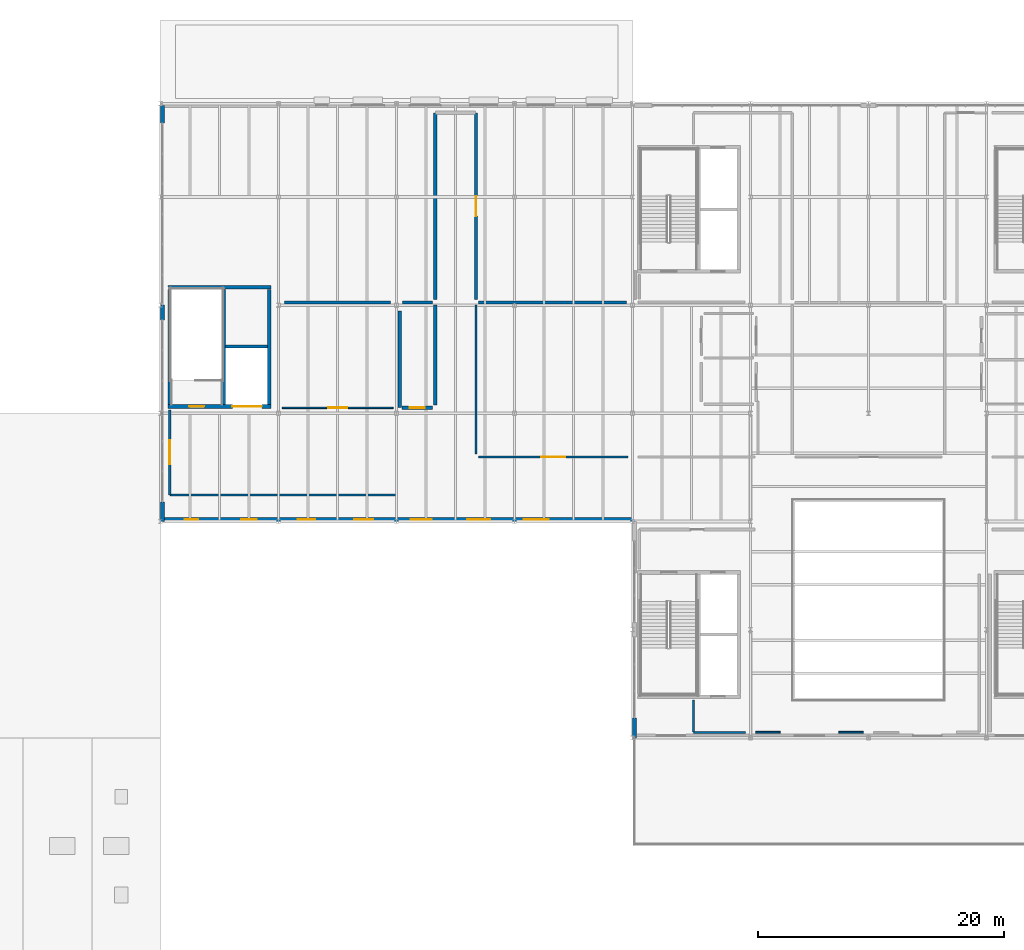
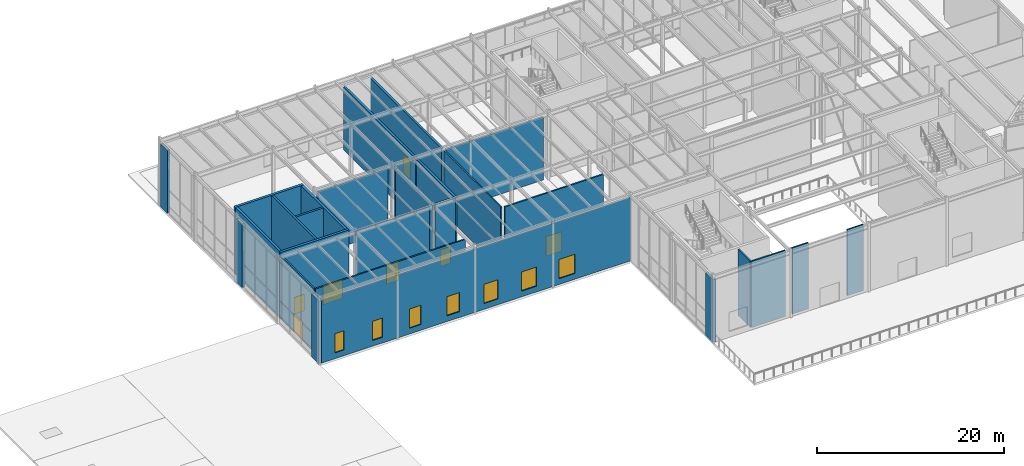
# One storey, part 35 of 48: 28 walls, 7 doors, 7 windows, 14 openings.
"""IFC4 building model written with IfcOpenShell, lengths in metres."""

import ifcopenshell
import ifcopenshell.guid

model = None  # the IFC model being written
_history = None  # IfcOwnerHistory: only IFC2X3 demands one
_inside = {}  # id of a spatial element -> (the spatial element, [elements in it])
_under = {}  # id of a project, library or spatial element -> (it, [spatial elements below it])
_declared = {}  # id of a project -> (the project, [libraries it declares])
_typed = {}  # id of a type object -> (the type object, [elements of that type])
_made_of = {}  # id of a material, layer set ... -> (it, [elements and type objects made of it])


def new_model(schema):
    """Start an empty IFC model of exactly this schema.

    Asked for "IFC4X3", IfcOpenShell would pick the latest addendum, in which some entities
    have other attributes; the version numbers below select the first issue.
    IFC2X3 requires an IfcOwnerHistory on every rooted entity: one is made here for all.
    """
    global model, _history
    if schema == "IFC4X3":
        model = ifcopenshell.file(schema_version=(4, 3, 0, 0))
    else:
        model = ifcopenshell.file(schema=schema)
    _inside.clear()
    _under.clear()
    _declared.clear()
    _typed.clear()
    _made_of.clear()
    _history = None
    if model.schema == "IFC2X3":
        org = make("IfcOrganization", Name="unknown")
        user = make(
            "IfcPersonAndOrganization",
            ThePerson=make("IfcPerson", FamilyName="unknown"),
            TheOrganization=org,
        )
        app = make(
            "IfcApplication",
            ApplicationDeveloper=org,
            Version="unknown",
            ApplicationFullName="unknown",
            ApplicationIdentifier="unknown",
        )
        _history = make(
            "IfcOwnerHistory",
            OwningUser=user,
            OwningApplication=app,
            ChangeAction="ADDED",
            CreationDate=0,
        )
    return model


def make(cls, **values):
    """One entity of the class cls with the attributes given. An attribute that is None is left unset."""
    return model.create_entity(
        cls, **{name: value for name, value in values.items() if value is not None}
    )


def rooted(cls, **values):
    """An entity with a GlobalId (a new one), such as an element, a storey or a relation."""
    return make(cls, GlobalId=ifcopenshell.guid.new(), OwnerHistory=_history, **values)


def si_unit(unit_type, name, prefix=None):
    """IfcSIUnit, for example si_unit("LENGTHUNIT", "METRE", prefix="MILLI")."""
    return make("IfcSIUnit", UnitType=unit_type, Prefix=prefix, Name=name)


def assignment(units):
    """IfcUnitAssignment: the units of a project."""
    return None if units is None else make("IfcUnitAssignment", Units=units)


def point(xyz):
    """IfcCartesianPoint."""
    return None if xyz is None else make("IfcCartesianPoint", Coordinates=xyz)


def direction(xyz):
    """IfcDirection."""
    return None if xyz is None else make("IfcDirection", DirectionRatios=xyz)


def frame(location, z_axis=None, x_axis=None):
    """IfcAxis2Placement3D, a coordinate frame: its origin and axes. An axis left out is left unset."""
    return make(
        "IfcAxis2Placement3D",
        Location=point(location),
        Axis=direction(z_axis),
        RefDirection=direction(x_axis),
    )


def frame_2d(location, x_axis=None):
    """IfcAxis2Placement2D, a coordinate frame in the plane: its origin and x axis."""
    return make(
        "IfcAxis2Placement2D", Location=point(location), RefDirection=direction(x_axis)
    )


def origin():
    """The frame at (0, 0, 0) with its axes left unset."""
    return frame((0.0, 0.0, 0.0))


def place(relative_to, where):
    """IfcLocalPlacement: puts the frame where relative to a parent placement (None: the world)."""
    return make(
        "IfcLocalPlacement", PlacementRelTo=relative_to, RelativePlacement=where
    )


def context(
    kind, dimensions, precision=None, world=None, true_north=None, identifier=None
):
    """IfcGeometricRepresentationContext, for example the 3D "Model" context."""
    return make(
        "IfcGeometricRepresentationContext",
        ContextIdentifier=identifier,
        ContextType=kind,
        CoordinateSpaceDimension=dimensions,
        Precision=precision,
        WorldCoordinateSystem=world,
        TrueNorth=true_north,
    )


def subcontext(parent, identifier, kind, view, scale=None):
    """IfcGeometricRepresentationSubContext, for example "Body" below "Model"."""
    return make(
        "IfcGeometricRepresentationSubContext",
        ContextIdentifier=identifier,
        ContextType=kind,
        ParentContext=parent,
        TargetScale=scale,
        TargetView=view,
    )


def project(units=None, contexts=None):
    """IfcProject with its units and contexts."""
    return rooted(
        "IfcProject",
        Name="project",
        RepresentationContexts=contexts,
        UnitsInContext=assignment(units),
    )


def spatial(cls, under=None, at=None, **own):
    """A site, building, storey or space (cls), placed at a placement, below another one or the project."""
    s = rooted(cls, ObjectPlacement=at, **own)
    if under is not None:
        _under.setdefault(under.id(), (under, []))[1].append(s)
    return s


def profile(cls, at=None, kind="AREA", **sizes):
    """A parametric profile (cls). Its sizes go by their IFC names, for example OverallWidth=200.0."""
    return make(cls, ProfileType=kind, Position=at, **sizes)


def rectangle(**sizes):
    """IfcRectangleProfileDef."""
    return profile("IfcRectangleProfileDef", **sizes)


def extrude(swept, where, along, depth):
    """IfcExtrudedAreaSolid: the profile swept, set in the frame where, extruded along a direction by depth."""
    return make(
        "IfcExtrudedAreaSolid",
        SweptArea=swept,
        Position=where,
        ExtrudedDirection=direction(along),
        Depth=depth,
    )


def shape(context_of_items, identifier, shape_type, items):
    """IfcShapeRepresentation: the items that make up one representation, for example the "Body"."""
    return make(
        "IfcShapeRepresentation",
        ContextOfItems=context_of_items,
        RepresentationIdentifier=identifier,
        RepresentationType=shape_type,
        Items=items,
    )


def material(Name=None, Category=None):
    """IfcMaterial."""
    return make("IfcMaterial", Name=Name, Category=Category)


def layer(
    of_material, thickness, ventilated=None, Name=None, Category=None, Priority=None
):
    """IfcMaterialLayer: one layer of a wall or slab, of a material (None: an air gap)."""
    return make(
        "IfcMaterialLayer",
        Material=of_material,
        LayerThickness=thickness,
        IsVentilated=ventilated,
        Name=Name,
        Category=Category,
        Priority=Priority,
    )


def layer_set(layers, Name=None):
    """IfcMaterialLayerSet."""
    return make("IfcMaterialLayerSet", MaterialLayers=layers, LayerSetName=Name)


def made_of(thing, what):
    """Note that an element or type object is made of a material, layer set ...; save() writes the relation."""
    if what is not None:
        _made_of.setdefault(what.id(), (what, []))[1].append(thing)
    return thing


def type_object(cls, material=None, **own):
    """A type object (cls), such as IfcWallType, which elements share."""
    return made_of(rooted(cls, **own), material)


def element(
    cls,
    number,
    at=None,
    inside=None,
    cuts=None,
    type_object=None,
    material=None,
    context=None,
    identifier="Body",
    shape_type=None,
    held_by="IfcProductDefinitionShape",
    body=None,
    shapes=None,
    **own,
):
    """One element of the class cls, such as IfcWall. Its Tag is "e" and its number.

    at: its placement. inside: the storey or other place that contains it. cuts: it is an
    opening in that element (IfcRelVoidsElement). A single representation is given by context,
    identifier, shape_type and body (its items); several are given by shapes. held_by: the class
    of the entity that holds the representations. save() writes the other relations.
    """
    e = rooted(cls, Tag="e%d" % number, ObjectPlacement=at, **own)
    if body is not None:
        shapes = [shape(context, identifier, shape_type, body)]
    if shapes is not None:
        e.Representation = make(held_by, Representations=shapes)
    if inside is not None:
        _inside.setdefault(inside.id(), (inside, []))[1].append(e)
    if cuts is not None:
        rooted(
            "IfcRelVoidsElement", RelatingBuildingElement=cuts, RelatedOpeningElement=e
        )
    if type_object is not None:
        _typed.setdefault(type_object.id(), (type_object, []))[1].append(e)
    return made_of(e, material)


def fill(opening, filler):
    """IfcRelFillsElement: the door or window that sits in an opening."""
    return rooted(
        "IfcRelFillsElement",
        RelatingOpeningElement=opening,
        RelatedBuildingElement=filler,
    )


def aggregate(whole, parts):
    """IfcRelAggregates: a whole, such as a stair, and the parts it consists of."""
    return rooted("IfcRelAggregates", RelatingObject=whole, RelatedObjects=parts)


def save(model, path):
    """Write the relations noted so far, then the file.

    IfcRelAggregates (storeys below a building ...), IfcRelContainedInSpatialStructure (elements
    in a storey), IfcRelDefinesByType, IfcRelAssociatesMaterial and IfcRelDeclares: one each for
    every whole, place, type object, material and project.
    """
    for whole, parts in _under.values():
        aggregate(whole, parts)
    for where, things in _inside.values():
        rooted(
            "IfcRelContainedInSpatialStructure",
            RelatedElements=things,
            RelatingStructure=where,
        )
    for kind, things in _typed.values():
        rooted("IfcRelDefinesByType", RelatedObjects=things, RelatingType=kind)
    for what, things in _made_of.values():
        rooted("IfcRelAssociatesMaterial", RelatedObjects=things, RelatingMaterial=what)
    for by, libraries in _declared.values():
        rooted("IfcRelDeclares", RelatingContext=by, RelatedDefinitions=libraries)
    model.write(path)


model = new_model("IFC4")

# Units and contexts
model_context = context("Model", 3, precision=1e-05, world=origin(), true_north=direction((0.0, 1.0)))
body_context = subcontext(model_context, "Body", "Model", "MODEL_VIEW")
ifc_project = project(units=[si_unit("LENGTHUNIT", "METRE"), si_unit("AREAUNIT", "SQUARE_METRE"), si_unit("VOLUMEUNIT", "CUBIC_METRE"), si_unit("PLANEANGLEUNIT", "RADIAN"), si_unit("MASSUNIT", "GRAM", prefix="KILO")], contexts=[model_context])

# Site, building, storey
site_placement = place(None, origin())
site = spatial("IfcSite", under=ifc_project, at=site_placement, CompositionType="ELEMENT")
building_placement = place(site_placement, origin())
building = spatial("IfcBuilding", under=site, at=building_placement, Name="Sarnbrook Museum", CompositionType="ELEMENT")
storey_placement = place(building_placement, frame((0.0, 0.0, 19.10009765625)))
storey = spatial("IfcBuildingStorey", under=building, at=storey_placement, Name="L04", CompositionType="ELEMENT", Elevation=19.10009765625)

# Wall, openings, doors
ifc_material_1 = material(Name="Concrete N50 (AS 3600, f'c = 50 MPa)", Category="concrete")
ifc_layer_1 = layer(ifc_material_1, 0.300048828125)
ifc_layer_set_1 = layer_set([ifc_layer_1], Name="Concrete N50 (AS 3600, f'c = 50 MPa)")
wall_type_1 = type_object("IfcWallType", Name="CoreWall_CWRC", PredefinedType="SHEAR", material=ifc_layer_set_1)
wall_1_placement = place(storey_placement, frame((43.0, 83.75, 0.0), z_axis=(0.0, 0.0, 1.0), x_axis=(1.0, 0.0, 0.0)))
wall_1 = element("IfcWall", 1, at=wall_1_placement, inside=storey, type_object=wall_type_1, Name="Core C6 Shear Wall S L04", PredefinedType="SHEAR", context=body_context, shape_type="SweptSolid", body=[
    extrude(rectangle(XDim=8.39990234375, YDim=0.300048828125, at=frame_2d((4.199951171875, 0.0))), origin(), (0.0, 0.0, 1.0), 8.744873046875),
])
opening_1_placement = place(wall_1_placement, frame((1.715087890625, 0.0, 0.0)))
opening_1 = element("IfcOpeningElement", 2, at=opening_1_placement, cuts=wall_1, Name="Opening D-ST-ST6-L04", PredefinedType="OPENING", context=body_context, shape_type="SweptSolid", body=[
    extrude(rectangle(XDim=1.25, YDim=2.199951171875, at=frame_2d((0.625, 1.10009765625))), frame((0.0, 0.16015625, 0.0), z_axis=(0.0, -1.0, 0.0), x_axis=(1.0, 0.0, 0.0)), (0.0, 0.0, 1.0), 0.320068359375),
])
opening_2_placement = place(wall_1_placement, frame((5.25, 0.0, 0.0)))
opening_2 = element("IfcOpeningElement", 3, at=opening_2_placement, cuts=wall_1, Name="Opening LD-GL2-L04", PredefinedType="OPENING", context=body_context, shape_type="SweptSolid", body=[
    extrude(rectangle(XDim=2.39990234375, YDim=2.550048828125, at=frame_2d((1.199951171875, 1.27490234375))), frame((0.0, 0.16015625, 0.0), z_axis=(0.0, -1.0, 0.0), x_axis=(1.0, 0.0, 0.0)), (0.0, 0.0, 1.0), 0.320068359375),
])
ifc_material_2 = material(Name="Tasmanian Oak Acoustic Timber", Category="wood")
door_type_1 = type_object("IfcDoorType", Name="FireDoor_FD120", OperationType="NOTDEFINED", PredefinedType="DOOR", material=ifc_material_2)
door_1_placement = place(opening_1_placement, origin())
door_1 = element("IfcDoor", 4, at=door_1_placement, inside=storey, type_object=door_type_1, Name="Exit Stair ST6 Fire Door L04", OperationType="SINGLE_SWING_LEFT", OverallHeight=2.199951171875, OverallWidth=1.25, PredefinedType="DOOR", context=body_context, shape_type="SweptSolid", body=[
    extrude(rectangle(XDim=1.25, YDim=2.199951171875, at=frame_2d((0.625, 1.10009765625))), frame((0.0, 0.02490234375, 0.0), z_axis=(0.0, -1.0, 0.0), x_axis=(1.0, 0.0, 0.0)), (0.0, 0.0, 1.0), 0.050048828125),
])
fill(opening_1, door_1)
ifc_material_3 = material(Name="Brushed Stainless Steel Grade 316", Category="steel")
door_type_2 = type_object("IfcDoorType", Name="LiftDoor_Goods240", OperationType="DOUBLE_DOOR_SLIDING", PredefinedType="DOOR", material=ifc_material_3)
door_2_placement = place(opening_2_placement, origin())
door_2 = element("IfcDoor", 5, at=door_2_placement, inside=storey, type_object=door_type_2, Name="Lift Landing Sliding Door LD-GL2-L04", OperationType="DOUBLE_DOOR_SLIDING", OverallHeight=2.550048828125, OverallWidth=2.39990234375, PredefinedType="DOOR", context=body_context, shape_type="SweptSolid", body=[
    extrude(rectangle(XDim=2.39990234375, YDim=2.550048828125, at=frame_2d((1.199951171875, 1.27490234375))), frame((0.0, 0.02490234375, 0.0), z_axis=(0.0, -1.0, 0.0), x_axis=(1.0, 0.0, 0.0)), (0.0, 0.0, 1.0), 0.050048828125),
])
fill(opening_2, door_2)

# Walls
wall_2_placement = place(storey_placement, frame((51.39990234375, 93.449951171875, 0.0), z_axis=(0.0, 0.0, 1.0), x_axis=(-1.0, 0.0, 0.0)))
element("IfcWall", 6, at=wall_2_placement, inside=storey, type_object=wall_type_1, Name="Core C6 Shear Wall N L04", PredefinedType="SHEAR", context=body_context, shape_type="SweptSolid", body=[
    extrude(rectangle(XDim=8.39990234375, YDim=0.300048828125, at=frame_2d((4.199951171875, 0.0))), origin(), (0.0, 0.0, 1.0), 8.744873046875),
])
for number, where, z_axis, x_axis, name in (
    (7, (51.25, 83.909912109375, 0.0), (0.0, 0.0, 1.0), (0.0, 1.0, 0.0), "Core C6 Shear Wall E L04"),
    (8, (43.14990234375, 93.2900390625, 0.0), (0.0, 0.0, 1.0), (0.0, -1.0, 0.0), "Core C6 Shear Wall W L04"),
):
    element("IfcWall", number, at=place(storey_placement, frame(where, z_axis=z_axis, x_axis=x_axis)), inside=storey, type_object=wall_type_1, Name=name, PredefinedType="SHEAR", context=body_context, shape_type="SweptSolid", body=[
        extrude(rectangle(XDim=9.380126953125, YDim=0.300048828125, at=frame_2d((4.68994140625, 0.0))), origin(), (0.0, 0.0, 1.0), 8.744873046875),
    ])

# Wall, opening, door
ifc_material_4 = material(Name="Concrete N40 (AS 3600, f'c = 40 MPa)", Category="concrete")
ifc_layer_2 = layer(ifc_material_4, 0.260009765625)
ifc_layer_set_2 = layer_set([ifc_layer_2], Name="Concrete N40 (AS 3600, f'c = 40 MPa)")
wall_type_2 = type_object("IfcWallType", Name="FireWall_FW240", PredefinedType="SOLIDWALL", material=ifc_layer_set_2)
wall_3_placement = place(storey_placement, frame((68.050048828125, 92.449951171875, 0.0), z_axis=(0.0, 0.0, 1.0), x_axis=(0.0, 1.0, 0.0)))
wall_3 = element("IfcWall", 9, at=wall_3_placement, inside=storey, type_object=wall_type_2, Name="Interior Partition Wall L04-0787", PredefinedType="SOLIDWALL", context=body_context, shape_type="SweptSolid", body=[
    extrude(rectangle(XDim=15.18994140625, YDim=0.260009765625, at=frame_2d((7.594970703125, 0.0))), origin(), (0.0, 0.0, 1.0), 8.18701171875),
])
opening_3_placement = place(wall_3_placement, frame((6.794921875, 0.0, 0.0)))
opening_3 = element("IfcOpeningElement", 10, at=opening_3_placement, cuts=wall_3, Name="Opening D-L04-223", PredefinedType="OPENING", context=body_context, shape_type="SweptSolid", body=[
    extrude(rectangle(XDim=1.60009765625, YDim=2.39990234375, at=frame_2d((0.800048828125, 1.199951171875))), frame((0.0, 0.14013671875, 0.0), z_axis=(0.0, -1.0, 0.0), x_axis=(1.0, 0.0, 0.0)), (0.0, 0.0, 1.0), 0.280029296875),
])
ifc_material_5 = material(Name="Patinated Architectural Bronze")
door_type_3 = type_object("IfcDoorType", Name="FireDoor_FD240", OperationType="NOTDEFINED", PredefinedType="DOOR", material=ifc_material_5)
door_3_placement = place(opening_3_placement, frame((1.60009765625, 0.0, 0.0), z_axis=(0.0, 0.0, 1.0), x_axis=(-1.0, 0.0, 0.0)))
door_3 = element("IfcDoor", 11, at=door_3_placement, inside=storey, type_object=door_type_3, Name="Collection Archive Vault L04-13 Door D-L04-223", OperationType="DOUBLE_DOOR_SINGLE_SWING", OverallHeight=2.39990234375, OverallWidth=1.60009765625, PredefinedType="DOOR", context=body_context, shape_type="SweptSolid", body=[
    extrude(rectangle(XDim=1.60009765625, YDim=2.39990234375, at=frame_2d((0.800048828125, 1.199951171875))), frame((0.0, 0.02490234375, 0.0), z_axis=(0.0, -1.0, 0.0), x_axis=(1.0, 0.0, 0.0)), (0.0, 0.0, 1.0), 0.050048828125),
])
fill(opening_3, door_3)

# Wall
wall_4_placement = place(storey_placement, frame((64.75, 107.639892578125, 0.0), z_axis=(0.0, 0.0, 1.0), x_axis=(0.0, -1.0, 0.0)))
element("IfcWall", 12, at=wall_4_placement, inside=storey, type_object=wall_type_2, Name="Interior Partition Wall L04-0789", PredefinedType="SOLIDWALL", context=body_context, shape_type="SweptSolid", body=[
    extrude(rectangle(XDim=15.18994140625, YDim=0.260009765625, at=frame_2d((7.594970703125, 0.0))), origin(), (0.0, 0.0, 1.0), 8.18701171875),
])

# Wall, opening, door
wall_5_placement = place(storey_placement, frame((64.52001953125, 83.64990234375, 0.0), z_axis=(0.0, 0.0, 1.0), x_axis=(-1.0, 0.0, 0.0)))
wall_5 = element("IfcWall", 13, at=wall_5_placement, inside=storey, type_object=wall_type_2, Name="Interior Partition Wall L04-0791", PredefinedType="SOLIDWALL", context=body_context, shape_type="SweptSolid", body=[
    extrude(rectangle(XDim=2.469970703125, YDim=0.260009765625, at=frame_2d((1.23486328125, 0.0))), origin(), (0.0, 0.0, 1.0), 8.364013671875),
])
opening_4_placement = place(wall_5_placement, frame((0.610107421875, 0.0, 0.0)))
opening_4 = element("IfcOpeningElement", 14, at=opening_4_placement, cuts=wall_5, Name="Opening D-L04-225", PredefinedType="OPENING", context=body_context, shape_type="SweptSolid", body=[
    extrude(rectangle(XDim=1.25, YDim=2.199951171875, at=frame_2d((0.625, 1.10009765625))), frame((0.0, 0.14013671875, 0.0), z_axis=(0.0, -1.0, 0.0), x_axis=(1.0, 0.0, 0.0)), (0.0, 0.0, 1.0), 0.280029296875),
])
door_4_placement = place(opening_4_placement, origin())
door_4 = element("IfcDoor", 15, at=door_4_placement, inside=storey, type_object=door_type_1, Name="Collection Archive Vault L04-15 Door D-L04-225", OperationType="SINGLE_SWING_RIGHT", OverallHeight=2.199951171875, OverallWidth=1.25, PredefinedType="DOOR", context=body_context, shape_type="SweptSolid", body=[
    extrude(rectangle(XDim=1.25, YDim=2.199951171875, at=frame_2d((0.625, 1.10009765625))), frame((0.0, 0.02490234375, 0.0), z_axis=(0.0, -1.0, 0.0), x_axis=(1.0, 0.0, 0.0)), (0.0, 0.0, 1.0), 0.050048828125),
])
fill(opening_4, door_4)

# Walls
wall_6_placement = place(storey_placement, frame((64.75, 92.030029296875, 0.0), z_axis=(0.0, 0.0, 1.0), x_axis=(0.0, -1.0, 0.0)))
element("IfcWall", 16, at=wall_6_placement, inside=storey, type_object=wall_type_2, Name="Interior Partition Wall L04-0792", PredefinedType="SOLIDWALL", context=body_context, shape_type="SweptSolid", body=[
    extrude(rectangle(XDim=8.150146484375, YDim=0.260009765625, at=frame_2d((4.0751953125, 0.0))), origin(), (0.0, 0.0, 1.0), 8.18701171875),
])
wall_7_placement = place(storey_placement, frame((61.1201171875, 92.219970703125, 0.0), z_axis=(0.0, 0.0, 1.0), x_axis=(-1.0, 0.0, 0.0)))
element("IfcWall", 17, at=wall_7_placement, inside=storey, type_object=wall_type_2, Name="Interior Partition Wall L04-0801", PredefinedType="SOLIDWALL", context=body_context, shape_type="SweptSolid", body=[
    extrude(rectangle(XDim=8.64013671875, YDim=0.260009765625, at=frame_2d((4.320068359375, 0.0))), origin(), (0.0, 0.0, 1.0), 8.18701171875),
])
wall_8_placement = place(storey_placement, frame((64.52001953125, 92.219970703125, 0.0), z_axis=(0.0, 0.0, 1.0), x_axis=(-1.0, 0.0, 0.0)))
element("IfcWall", 18, at=wall_8_placement, inside=storey, type_object=wall_type_2, Name="Interior Partition Wall L04-0802", PredefinedType="SOLIDWALL", context=body_context, shape_type="SweptSolid", body=[
    extrude(rectangle(XDim=2.43994140625, YDim=0.260009765625, at=frame_2d((1.219970703125, 0.0))), origin(), (0.0, 0.0, 1.0), 8.18701171875),
])
wall_9_placement = place(storey_placement, frame((80.320068359375, 92.219970703125, 0.0), z_axis=(0.0, 0.0, 1.0), x_axis=(-1.0, 0.0, 0.0)))
element("IfcWall", 19, at=wall_9_placement, inside=storey, type_object=wall_type_2, Name="Interior Partition Wall L04-0803", PredefinedType="SOLIDWALL", context=body_context, shape_type="SweptSolid", body=[
    extrude(rectangle(XDim=12.0400390625, YDim=0.260009765625, at=frame_2d((6.02001953125, 0.0))), origin(), (0.0, 0.0, 1.0), 8.18701171875),
])
wall_10_placement = place(storey_placement, frame((61.860107421875, 91.52001953125, 0.0), z_axis=(0.0, 0.0, 1.0), x_axis=(0.0, -1.0, 0.0)))
element("IfcWall", 20, at=wall_10_placement, inside=storey, type_object=wall_type_2, Name="Interior Partition Wall L04-0804", PredefinedType="SOLIDWALL", context=body_context, shape_type="SweptSolid", body=[
    extrude(rectangle(XDim=7.840087890625, YDim=0.260009765625, at=frame_2d((3.919921875, 0.0))), origin(), (0.0, 0.0, 1.0), 8.262939453125),
])

# Wall, opening, door
ifc_material_6 = material(Name="Fire-Rated Acoustic Gypsum Plasterboard")
ifc_layer_3 = layer(ifc_material_6, 0.1201171875)
ifc_layer_set_3 = layer_set([ifc_layer_3], Name="Fire-Rated Acoustic Gypsum Plasterboard")
wall_type_3 = type_object("IfcWallType", Name="PartWall_P120", PredefinedType="PARTITIONING", material=ifc_layer_set_3)
wall_11_placement = place(storey_placement, frame((61.315185546875, 83.64990234375, 0.0), z_axis=(0.0, 0.0, 1.0), x_axis=(-1.0, 0.0, 0.0)))
wall_11 = element("IfcWall", 21, at=wall_11_placement, inside=storey, type_object=wall_type_3, Name="Interior Partition Wall L04-0790", PredefinedType="PARTITIONING", context=body_context, shape_type="SweptSolid", body=[
    extrude(rectangle(XDim=9.030517578125, YDim=0.1201171875, at=frame_2d((4.51513671875, 0.0))), origin(), (0.0, 0.0, 1.0), 8.262939453125),
])
opening_5_placement = place(wall_11_placement, frame((3.740234375, 0.0, 0.0)))
opening_5 = element("IfcOpeningElement", 22, at=opening_5_placement, cuts=wall_11, Name="Opening D-L04-224", PredefinedType="OPENING", context=body_context, shape_type="SweptSolid", body=[
    extrude(rectangle(XDim=1.550048828125, YDim=2.580078125, at=frame_2d((0.77490234375, 1.2900390625))), frame((0.0, 0.070068359375, 0.0), z_axis=(0.0, -1.0, 0.0), x_axis=(1.0, 0.0, 0.0)), (0.0, 0.0, 1.0), 0.14013671875),
])
door_type_4 = type_object("IfcDoorType", Name="IntDoor_DT34", OperationType="NOTDEFINED", PredefinedType="DOOR", material=ifc_material_2)
door_5_placement = place(opening_5_placement, origin())
door_5 = element("IfcDoor", 23, at=door_5_placement, inside=storey, type_object=door_type_4, Name="Conservation Science Laboratory L04-14 Door D-L04-224", OperationType="SINGLE_SWING_LEFT", OverallHeight=2.580078125, OverallWidth=1.550048828125, PredefinedType="DOOR", context=body_context, shape_type="SweptSolid", body=[
    extrude(rectangle(XDim=1.550048828125, YDim=2.580078125, at=frame_2d((0.77490234375, 1.2900390625))), frame((0.0, 0.02490234375, 0.0), z_axis=(0.0, -1.0, 0.0), x_axis=(1.0, 0.0, 0.0)), (0.0, 0.0, 1.0), 0.050048828125),
])
fill(opening_5, door_5)

# Walls
ifc_layer_4 = layer(ifc_material_6, 0.135009765625)
ifc_layer_set_4 = layer_set([ifc_layer_4], Name="Fire-Rated Acoustic Gypsum Plasterboard")
wall_type_4 = type_object("IfcWallType", Name="PartWall_P135", PredefinedType="PARTITIONING", material=ifc_layer_set_4)
wall_12_placement = place(storey_placement, frame((97.59228515625, 57.25, 0.0), z_axis=(0.0, 0.0, 1.0), x_axis=(1.0, 0.0, 0.0)))
element("IfcWall", 24, at=wall_12_placement, inside=storey, type_object=wall_type_4, Name="Interior Partition Wall L04-0761", PredefinedType="PARTITIONING", context=body_context, shape_type="SweptSolid", body=[
    extrude(rectangle(XDim=1.989990234375, YDim=0.135009765625, at=frame_2d((0.9951171875, 0.0))), origin(), (0.0, 0.0, 1.0), 8.6298828125),
])
ifc_layer_5 = layer(ifc_material_6, 0.14990234375)
ifc_layer_set_5 = layer_set([ifc_layer_5], Name="Fire-Rated Acoustic Gypsum Plasterboard")
wall_type_5 = type_object("IfcWallType", Name="PartWall_P150", PredefinedType="PARTITIONING", material=ifc_layer_set_5)
wall_13_placement = place(storey_placement, frame((90.817626953125, 57.25, 0.0), z_axis=(0.0, 0.0, 1.0), x_axis=(1.0, 0.0, 0.0)))
element("IfcWall", 25, at=wall_13_placement, inside=storey, type_object=wall_type_5, Name="Interior Partition Wall L04-0760", PredefinedType="PARTITIONING", context=body_context, shape_type="SweptSolid", body=[
    extrude(rectangle(XDim=1.989990234375, YDim=0.14990234375, at=frame_2d((0.9951171875, 0.0))), origin(), (0.0, 0.0, 1.0), 8.6298828125),
])
ifc_layer_6 = layer(ifc_material_6, 0.1650390625)
ifc_layer_set_6 = layer_set([ifc_layer_6], Name="Fire-Rated Acoustic Gypsum Plasterboard")
wall_type_6 = type_object("IfcWallType", Name="PartWall_P165", PredefinedType="PARTITIONING", material=ifc_layer_set_6)
wall_14_placement = place(storey_placement, frame((85.760009765625, 57.25, 0.0), z_axis=(0.0, 0.0, 1.0), x_axis=(1.0, 0.0, 0.0)))
element("IfcWall", 26, at=wall_14_placement, inside=storey, type_object=wall_type_6, Name="Interior Partition Wall L04-0759", PredefinedType="PARTITIONING", context=body_context, shape_type="SweptSolid", body=[
    extrude(rectangle(XDim=4.222412109375, YDim=0.1650390625, at=frame_2d((2.111328125, 0.0))), origin(), (0.0, 0.0, 1.0), 8.6298828125),
])
wall_15_placement = place(storey_placement, frame((68.050048828125, 79.8798828125, 0.0), z_axis=(0.0, 0.0, 1.0), x_axis=(0.0, 1.0, 0.0)))
element("IfcWall", 27, at=wall_15_placement, inside=storey, type_object=wall_type_6, Name="Interior Partition Wall L04-0794", PredefinedType="PARTITIONING", context=body_context, shape_type="SweptSolid", body=[
    extrude(rectangle(XDim=12.150146484375, YDim=0.1650390625, at=frame_2d((6.0751953125, 0.0))), origin(), (0.0, 0.0, 1.0), 8.18701171875),
])
ifc_layer_7 = layer(ifc_material_6, 0.179931640625)
ifc_layer_set_7 = layer_set([ifc_layer_7], Name="Fire-Rated Acoustic Gypsum Plasterboard")
wall_type_7 = type_object("IfcWallType", Name="PartWall_P180", PredefinedType="PARTITIONING", material=ifc_layer_set_7)
wall_16_placement = place(storey_placement, frame((85.75, 59.8798828125, 0.0), z_axis=(0.0, 0.0, 1.0), x_axis=(0.0, -1.0, 0.0)))
element("IfcWall", 28, at=wall_16_placement, inside=storey, type_object=wall_type_7, Name="Interior Partition Wall L04-0758", PredefinedType="PARTITIONING", context=body_context, shape_type="SweptSolid", body=[
    extrude(rectangle(XDim=2.619873046875, YDim=0.179931640625, at=frame_2d((1.31005859375, 0.0))), origin(), (0.0, 0.0, 1.0), 8.6298828125),
])
wall_17_placement = place(storey_placement, frame((43.159912109375, 76.550048828125, 0.0), z_axis=(0.0, 0.0, 1.0), x_axis=(1.0, 0.0, 0.0)))
element("IfcWall", 29, at=wall_17_placement, inside=storey, type_object=wall_type_7, Name="Interior Partition Wall L04-0786", PredefinedType="PARTITIONING", context=body_context, shape_type="SweptSolid", body=[
    extrude(rectangle(XDim=18.469970703125, YDim=0.179931640625, at=frame_2d((9.23486328125, 0.0))), origin(), (0.0, 0.0, 1.0), 8.262939453125),
])

# Wall, opening, door
wall_18_placement = place(storey_placement, frame((80.43994140625, 79.64990234375, 0.0), z_axis=(0.0, 0.0, 1.0), x_axis=(-1.0, 0.0, 0.0)))
wall_18 = element("IfcWall", 30, at=wall_18_placement, inside=storey, type_object=wall_type_7, Name="Interior Partition Wall L04-0793", PredefinedType="PARTITIONING", context=body_context, shape_type="SweptSolid", body=[
    extrude(rectangle(XDim=12.159912109375, YDim=0.179931640625, at=frame_2d((6.080078125, 0.0))), origin(), (0.0, 0.0, 1.0), 8.262939453125),
])
opening_6_placement = place(wall_18_placement, frame((5.10498046875, 0.0, 0.0)))
opening_6 = element("IfcOpeningElement", 31, at=opening_6_placement, cuts=wall_18, Name="Opening D-L04-226", PredefinedType="OPENING", context=body_context, shape_type="SweptSolid", body=[
    extrude(rectangle(XDim=1.949951171875, YDim=2.580078125, at=frame_2d((0.97509765625, 1.2900390625))), frame((0.0, 0.10009765625, 0.0), z_axis=(0.0, -1.0, 0.0), x_axis=(1.0, 0.0, 0.0)), (0.0, 0.0, 1.0), 0.199951171875),
])
door_type_5 = type_object("IfcDoorType", Name="IntDoor_DT36", OperationType="NOTDEFINED", PredefinedType="DOOR", material=ifc_material_2)
door_6_placement = place(opening_6_placement, frame((1.949951171875, 0.0, 0.0), z_axis=(0.0, 0.0, 1.0), x_axis=(-1.0, 0.0, 0.0)))
door_6 = element("IfcDoor", 32, at=door_6_placement, inside=storey, type_object=door_type_5, Name="Conservation Science Laboratory L04-16 Door D-L04-226", OperationType="DOUBLE_DOOR_SINGLE_SWING", OverallHeight=2.580078125, OverallWidth=1.949951171875, PredefinedType="DOOR", context=body_context, shape_type="SweptSolid", body=[
    extrude(rectangle(XDim=1.949951171875, YDim=2.580078125, at=frame_2d((0.97509765625, 1.2900390625))), frame((0.0, 0.02490234375, 0.0), z_axis=(0.0, -1.0, 0.0), x_axis=(1.0, 0.0, 0.0)), (0.0, 0.0, 1.0), 0.050048828125),
])
fill(opening_6, door_6)

ifc_layer_8 = layer(ifc_material_6, 0.195068359375)
ifc_layer_set_8 = layer_set([ifc_layer_8], Name="Fire-Rated Acoustic Gypsum Plasterboard")
wall_type_8 = type_object("IfcWallType", Name="PartWall_P195", PredefinedType="PARTITIONING", material=ifc_layer_set_8)
wall_19_placement = place(storey_placement, frame((43.14990234375, 83.47998046875, 0.0), z_axis=(0.0, 0.0, 1.0), x_axis=(0.0, -1.0, 0.0)))
wall_19 = element("IfcWall", 33, at=wall_19_placement, inside=storey, type_object=wall_type_8, Name="Interior Partition Wall L04-0785", PredefinedType="PARTITIONING", context=body_context, shape_type="SweptSolid", body=[
    extrude(rectangle(XDim=6.919921875, YDim=0.195068359375, at=frame_2d((3.4599609375, 0.0))), origin(), (0.0, 0.0, 1.0), 8.18701171875),
])
opening_7_placement = place(wall_19_placement, frame((2.47998046875, 0.0, 0.0)))
opening_7 = element("IfcOpeningElement", 34, at=opening_7_placement, cuts=wall_19, Name="Opening D-L04-222", PredefinedType="OPENING", context=body_context, shape_type="SweptSolid", body=[
    extrude(rectangle(XDim=1.9599609375, YDim=2.4599609375, at=frame_2d((0.97998046875, 1.22998046875))), frame((0.0, 0.107421875, 0.0), z_axis=(0.0, -1.0, 0.0), x_axis=(1.0, 0.0, 0.0)), (0.0, 0.0, 1.0), 0.215087890625),
])
door_type_6 = type_object("IfcDoorType", Name="IntDoor_DT32", OperationType="NOTDEFINED", PredefinedType="DOOR", material=ifc_material_2)
door_7_placement = place(opening_7_placement, origin())
door_7 = element("IfcDoor", 35, at=door_7_placement, inside=storey, type_object=door_type_6, Name="Conservation Science Laboratory L04-12 Door D-L04-222", OperationType="DOUBLE_DOOR_SINGLE_SWING", OverallHeight=2.4599609375, OverallWidth=1.9599609375, PredefinedType="DOOR", context=body_context, shape_type="SweptSolid", body=[
    extrude(rectangle(XDim=1.9599609375, YDim=2.4599609375, at=frame_2d((0.97998046875, 1.22998046875))), frame((0.0, 0.02490234375, 0.0), z_axis=(0.0, -1.0, 0.0), x_axis=(1.0, 0.0, 0.0)), (0.0, 0.0, 1.0), 0.050048828125),
])
fill(opening_7, door_7)

# Walls
ifc_layer_9 = layer(ifc_material_4, 0.239990234375)
ifc_layer_set_9 = layer_set([ifc_layer_9], Name="Concrete N40 (AS 3600, f'c = 40 MPa)")
wall_type_9 = type_object("IfcWallType", Name="ShaftWall_SWRC", PredefinedType="SOLIDWALL", material=ifc_layer_set_9)
wall_20_placement = place(storey_placement, frame((47.570068359375, 83.909912109375, 0.0), z_axis=(0.0, 0.0, 1.0), x_axis=(0.0, 1.0, 0.0)))
element("IfcWall", 36, at=wall_20_placement, inside=storey, type_object=wall_type_9, Name="Stairwell ST6 Fire Shaft Wall L04", PredefinedType="SOLIDWALL", context=body_context, shape_type="SweptSolid", body=[
    extrude(rectangle(XDim=9.380126953125, YDim=0.239990234375, at=frame_2d((4.68994140625, 0.0))), origin(), (0.0, 0.0, 1.0), 8.744873046875),
])
wall_21_placement = place(storey_placement, frame((47.699951171875, 88.6201171875, 0.0), z_axis=(0.0, 0.0, 1.0), x_axis=(1.0, 0.0, 0.0)))
element("IfcWall", 37, at=wall_21_placement, inside=storey, type_object=wall_type_9, Name="Lift GL2 Shaft Rear Wall L04", PredefinedType="SOLIDWALL", context=body_context, shape_type="SweptSolid", body=[
    extrude(rectangle(XDim=3.39013671875, YDim=0.239990234375, at=frame_2d((1.695068359375, 0.0))), origin(), (0.0, 0.0, 1.0), 8.744873046875),
])
ifc_material_7 = material(Name="Victorian Bluestone Ashlar Masonry", Category="masonry")
ifc_layer_10 = layer(ifc_material_7, 0.320068359375)
ifc_layer_set_10 = layer_set([ifc_layer_10], Name="Victorian Bluestone Ashlar Masonry")
wall_type_10 = type_object("IfcWallType", Name="Wall_LimestoneSpandrel320", PredefinedType="STANDARD", material=ifc_layer_set_10)
wall_22_placement = place(storey_placement, frame((42.56005859375, 108.23388671875, 0.0), z_axis=(0.0, 0.0, 1.0), x_axis=(0.0, -1.0, 0.0)))
element("IfcWall", 38, at=wall_22_placement, inside=storey, type_object=wall_type_10, Name="Classical Sandstone Facade Pier L04-2.1", PredefinedType="STANDARD", context=body_context, shape_type="SweptSolid", body=[
    extrude(rectangle(XDim=1.433837890625, YDim=0.320068359375, at=frame_2d((0.716796875, 0.0))), origin(), (0.0, 0.0, 1.0), 8.201904296875),
])
wall_23_placement = place(storey_placement, frame((42.56005859375, 92.0, 0.0), z_axis=(0.0, 0.0, 1.0), x_axis=(0.0, -1.0, 0.0)))
element("IfcWall", 39, at=wall_23_placement, inside=storey, type_object=wall_type_10, Name="Classical Sandstone Facade Pier L04-2.2", PredefinedType="STANDARD", context=body_context, shape_type="SweptSolid", body=[
    extrude(rectangle(XDim=1.199951171875, YDim=0.320068359375, at=frame_2d((0.60009765625, 0.0))), origin(), (0.0, 0.0, 1.0), 8.27783203125),
])
wall_24_placement = place(storey_placement, frame((42.56005859375, 76.0, 0.0), z_axis=(0.0, 0.0, 1.0), x_axis=(0.0, -1.0, 0.0)))
element("IfcWall", 40, at=wall_24_placement, inside=storey, type_object=wall_type_10, Name="Classical Sandstone Facade Pier L04-2.3", PredefinedType="STANDARD", context=body_context, shape_type="SweptSolid", body=[
    extrude(rectangle(XDim=1.60009765625, YDim=0.320068359375, at=frame_2d((0.800048828125, 0.0))), origin(), (0.0, 0.0, 1.0), 8.201904296875),
])

# Wall, openings, windows
wall_25_placement = place(storey_placement, frame((42.56591796875, 74.56005859375, 0.0), z_axis=(0.0, 0.0, 1.0), x_axis=(1.0, 0.0, 0.0)))
wall_25 = element("IfcWall", 41, at=wall_25_placement, inside=storey, type_object=wall_type_10, Name="Classical Sandstone Facade Wall L04-03", PredefinedType="STANDARD", context=body_context, shape_type="SweptSolid", body=[
    extrude(rectangle(XDim=38.234130859375, YDim=0.320068359375, at=frame_2d((19.1171875, 0.0))), origin(), (0.0, 0.0, 1.0), 8.201904296875),
])
opening_8_placement = place(wall_25_placement, frame((1.800048828125, 0.0, 0.75)))
opening_8 = element("IfcOpeningElement", 42, at=opening_8_placement, cuts=wall_25, Name="Opening WT-35", PredefinedType="OPENING", context=body_context, shape_type="SweptSolid", body=[
    extrude(rectangle(XDim=1.10009765625, YDim=2.5, at=frame_2d((0.550048828125, 1.25))), frame((0.0, 0.169921875, 0.0), z_axis=(0.0, -1.0, 0.0), x_axis=(1.0, 0.0, 0.0)), (0.0, 0.0, 1.0), 0.340087890625),
])
opening_9_placement = place(wall_25_placement, frame((6.39990234375, 0.0, 0.75)))
opening_9 = element("IfcOpeningElement", 43, at=opening_9_placement, cuts=wall_25, Name="Opening WT-36", PredefinedType="OPENING", context=body_context, shape_type="SweptSolid", body=[
    extrude(rectangle(XDim=1.25, YDim=2.5, at=frame_2d((0.625, 1.25))), frame((0.0, 0.169921875, 0.0), z_axis=(0.0, -1.0, 0.0), x_axis=(1.0, 0.0, 0.0)), (0.0, 0.0, 1.0), 0.340087890625),
])
opening_10_placement = place(wall_25_placement, frame((11.0, 0.0, 0.75)))
opening_10 = element("IfcOpeningElement", 44, at=opening_10_placement, cuts=wall_25, Name="Opening WT-37", PredefinedType="OPENING", context=body_context, shape_type="SweptSolid", body=[
    extrude(rectangle(XDim=1.39990234375, YDim=2.5, at=frame_2d((0.699951171875, 1.25))), frame((0.0, 0.169921875, 0.0), z_axis=(0.0, -1.0, 0.0), x_axis=(1.0, 0.0, 0.0)), (0.0, 0.0, 1.0), 0.340087890625),
])
opening_11_placement = place(wall_25_placement, frame((15.60009765625, 0.0, 0.75)))
opening_11 = element("IfcOpeningElement", 45, at=opening_11_placement, cuts=wall_25, Name="Opening WT-38", PredefinedType="OPENING", context=body_context, shape_type="SweptSolid", body=[
    extrude(rectangle(XDim=1.550048828125, YDim=2.5, at=frame_2d((0.77490234375, 1.25))), frame((0.0, 0.169921875, 0.0), z_axis=(0.0, -1.0, 0.0), x_axis=(1.0, 0.0, 0.0)), (0.0, 0.0, 1.0), 0.340087890625),
])
opening_12_placement = place(wall_25_placement, frame((20.199951171875, 0.0, 0.75)))
opening_12 = element("IfcOpeningElement", 46, at=opening_12_placement, cuts=wall_25, Name="Opening WT-39", PredefinedType="OPENING", context=body_context, shape_type="SweptSolid", body=[
    extrude(rectangle(XDim=1.699951171875, YDim=2.5, at=frame_2d((0.85009765625, 1.25))), frame((0.0, 0.169921875, 0.0), z_axis=(0.0, -1.0, 0.0), x_axis=(1.0, 0.0, 0.0)), (0.0, 0.0, 1.0), 0.340087890625),
])
opening_13_placement = place(wall_25_placement, frame((24.800048828125, 0.0, 0.75)))
opening_13 = element("IfcOpeningElement", 47, at=opening_13_placement, cuts=wall_25, Name="Opening WT-40", PredefinedType="OPENING", context=body_context, shape_type="SweptSolid", body=[
    extrude(rectangle(XDim=1.85009765625, YDim=2.5, at=frame_2d((0.925048828125, 1.25))), frame((0.0, 0.169921875, 0.0), z_axis=(0.0, -1.0, 0.0), x_axis=(1.0, 0.0, 0.0)), (0.0, 0.0, 1.0), 0.340087890625),
])
opening_14_placement = place(wall_25_placement, frame((29.39990234375, 0.0, 0.75)))
opening_14 = element("IfcOpeningElement", 48, at=opening_14_placement, cuts=wall_25, Name="Opening WT-41", PredefinedType="OPENING", context=body_context, shape_type="SweptSolid", body=[
    extrude(rectangle(XDim=2.0, YDim=2.5, at=frame_2d((1.0, 1.25))), frame((0.0, 0.169921875, 0.0), z_axis=(0.0, -1.0, 0.0), x_axis=(1.0, 0.0, 0.0)), (0.0, 0.0, 1.0), 0.340087890625),
])
ifc_material_8 = material(Name="Double-Glazed Low-Iron Laminated Safety Glass", Category="glass")
window_type_1 = type_object("IfcWindowType", Name="Window_Classical_WT35", PartitioningType="SINGLE_PANEL", PredefinedType="WINDOW", material=ifc_material_8)
window_1_placement = place(opening_8_placement, origin())
window_1 = element("IfcWindow", 49, at=window_1_placement, inside=storey, type_object=window_type_1, Name="Classical Bronze Casement Window WIN:L04:0123", OverallHeight=2.5, OverallWidth=1.10009765625, PartitioningType="SINGLE_PANEL", PredefinedType="WINDOW", context=body_context, shape_type="SweptSolid", body=[
    extrude(rectangle(XDim=1.10009765625, YDim=2.5, at=frame_2d((0.550048828125, 1.25))), frame((0.0, 0.030029296875, 0.0), z_axis=(0.0, -1.0, 0.0), x_axis=(1.0, 0.0, 0.0)), (0.0, 0.0, 1.0), 0.06005859375),
])
fill(opening_8, window_1)
window_type_2 = type_object("IfcWindowType", Name="Window_Classical_WT36", PartitioningType="SINGLE_PANEL", PredefinedType="WINDOW", material=ifc_material_8)
window_2_placement = place(opening_9_placement, origin())
window_2 = element("IfcWindow", 50, at=window_2_placement, inside=storey, type_object=window_type_2, Name="Classical Bronze Casement Window WIN:L04:0124", OverallHeight=2.5, OverallWidth=1.25, PartitioningType="SINGLE_PANEL", PredefinedType="WINDOW", context=body_context, shape_type="SweptSolid", body=[
    extrude(rectangle(XDim=1.25, YDim=2.5, at=frame_2d((0.625, 1.25))), frame((0.0, 0.030029296875, 0.0), z_axis=(0.0, -1.0, 0.0), x_axis=(1.0, 0.0, 0.0)), (0.0, 0.0, 1.0), 0.06005859375),
])
fill(opening_9, window_2)
window_type_3 = type_object("IfcWindowType", Name="Window_Classical_WT37", PartitioningType="SINGLE_PANEL", PredefinedType="WINDOW", material=ifc_material_8)
window_3_placement = place(opening_10_placement, origin())
window_3 = element("IfcWindow", 51, at=window_3_placement, inside=storey, type_object=window_type_3, Name="Classical Bronze Casement Window WIN:L04:0125", OverallHeight=2.5, OverallWidth=1.39990234375, PartitioningType="SINGLE_PANEL", PredefinedType="WINDOW", context=body_context, shape_type="SweptSolid", body=[
    extrude(rectangle(XDim=1.39990234375, YDim=2.5, at=frame_2d((0.699951171875, 1.25))), frame((0.0, 0.030029296875, 0.0), z_axis=(0.0, -1.0, 0.0), x_axis=(1.0, 0.0, 0.0)), (0.0, 0.0, 1.0), 0.06005859375),
])
fill(opening_10, window_3)
window_type_4 = type_object("IfcWindowType", Name="Window_Classical_WT38", PartitioningType="SINGLE_PANEL", PredefinedType="WINDOW", material=ifc_material_8)
window_4_placement = place(opening_11_placement, origin())
window_4 = element("IfcWindow", 52, at=window_4_placement, inside=storey, type_object=window_type_4, Name="Classical Bronze Casement Window WIN:L04:0126", OverallHeight=2.5, OverallWidth=1.550048828125, PartitioningType="SINGLE_PANEL", PredefinedType="WINDOW", context=body_context, shape_type="SweptSolid", body=[
    extrude(rectangle(XDim=1.550048828125, YDim=2.5, at=frame_2d((0.77490234375, 1.25))), frame((0.0, 0.030029296875, 0.0), z_axis=(0.0, -1.0, 0.0), x_axis=(1.0, 0.0, 0.0)), (0.0, 0.0, 1.0), 0.06005859375),
])
fill(opening_11, window_4)
window_type_5 = type_object("IfcWindowType", Name="Window_Classical_WT39", PartitioningType="SINGLE_PANEL", PredefinedType="WINDOW", material=ifc_material_8)
window_5_placement = place(opening_12_placement, origin())
window_5 = element("IfcWindow", 53, at=window_5_placement, inside=storey, type_object=window_type_5, Name="Classical Bronze Casement Window WIN:L04:0127", OverallHeight=2.5, OverallWidth=1.699951171875, PartitioningType="SINGLE_PANEL", PredefinedType="WINDOW", context=body_context, shape_type="SweptSolid", body=[
    extrude(rectangle(XDim=1.699951171875, YDim=2.5, at=frame_2d((0.85009765625, 1.25))), frame((0.0, 0.030029296875, 0.0), z_axis=(0.0, -1.0, 0.0), x_axis=(1.0, 0.0, 0.0)), (0.0, 0.0, 1.0), 0.06005859375),
])
fill(opening_12, window_5)
window_type_6 = type_object("IfcWindowType", Name="Window_Classical_WT40", PartitioningType="SINGLE_PANEL", PredefinedType="WINDOW", material=ifc_material_8)
window_6_placement = place(opening_13_placement, origin())
window_6 = element("IfcWindow", 54, at=window_6_placement, inside=storey, type_object=window_type_6, Name="Classical Bronze Casement Window WIN:L04:0128", OverallHeight=2.5, OverallWidth=1.85009765625, PartitioningType="SINGLE_PANEL", PredefinedType="WINDOW", context=body_context, shape_type="SweptSolid", body=[
    extrude(rectangle(XDim=1.85009765625, YDim=2.5, at=frame_2d((0.925048828125, 1.25))), frame((0.0, 0.030029296875, 0.0), z_axis=(0.0, -1.0, 0.0), x_axis=(1.0, 0.0, 0.0)), (0.0, 0.0, 1.0), 0.06005859375),
])
fill(opening_13, window_6)
window_type_7 = type_object("IfcWindowType", Name="Window_Classical_WT41", PartitioningType="SINGLE_PANEL", PredefinedType="WINDOW", material=ifc_material_8)
window_7_placement = place(opening_14_placement, origin())
window_7 = element("IfcWindow", 55, at=window_7_placement, inside=storey, type_object=window_type_7, Name="Classical Bronze Casement Window WIN:L04:0129", OverallHeight=2.5, OverallWidth=2.0, PartitioningType="SINGLE_PANEL", PredefinedType="WINDOW", context=body_context, shape_type="SweptSolid", body=[
    extrude(rectangle(XDim=2.0, YDim=2.5, at=frame_2d((1.0, 1.25))), frame((0.0, 0.030029296875, 0.0), z_axis=(0.0, -1.0, 0.0), x_axis=(1.0, 0.0, 0.0)), (0.0, 0.0, 1.0), 0.06005859375),
])
fill(opening_14, window_7)

# Wall
wall_26_placement = place(storey_placement, frame((80.9599609375, 58.39990234375, 0.0), z_axis=(0.0, 0.0, 1.0), x_axis=(0.0, -1.0, 0.0)))
element("IfcWall", 56, at=wall_26_placement, inside=storey, type_object=wall_type_10, Name="Classical Sandstone Facade Pier L04-4.3", PredefinedType="STANDARD", context=body_context, shape_type="SweptSolid", body=[
    extrude(rectangle(XDim=1.599853515625, YDim=0.320068359375, at=frame_2d((0.7998046875, 0.0))), origin(), (0.0, 0.0, 1.0), 8.201904296875),
])

save(model, "model.ifc")
